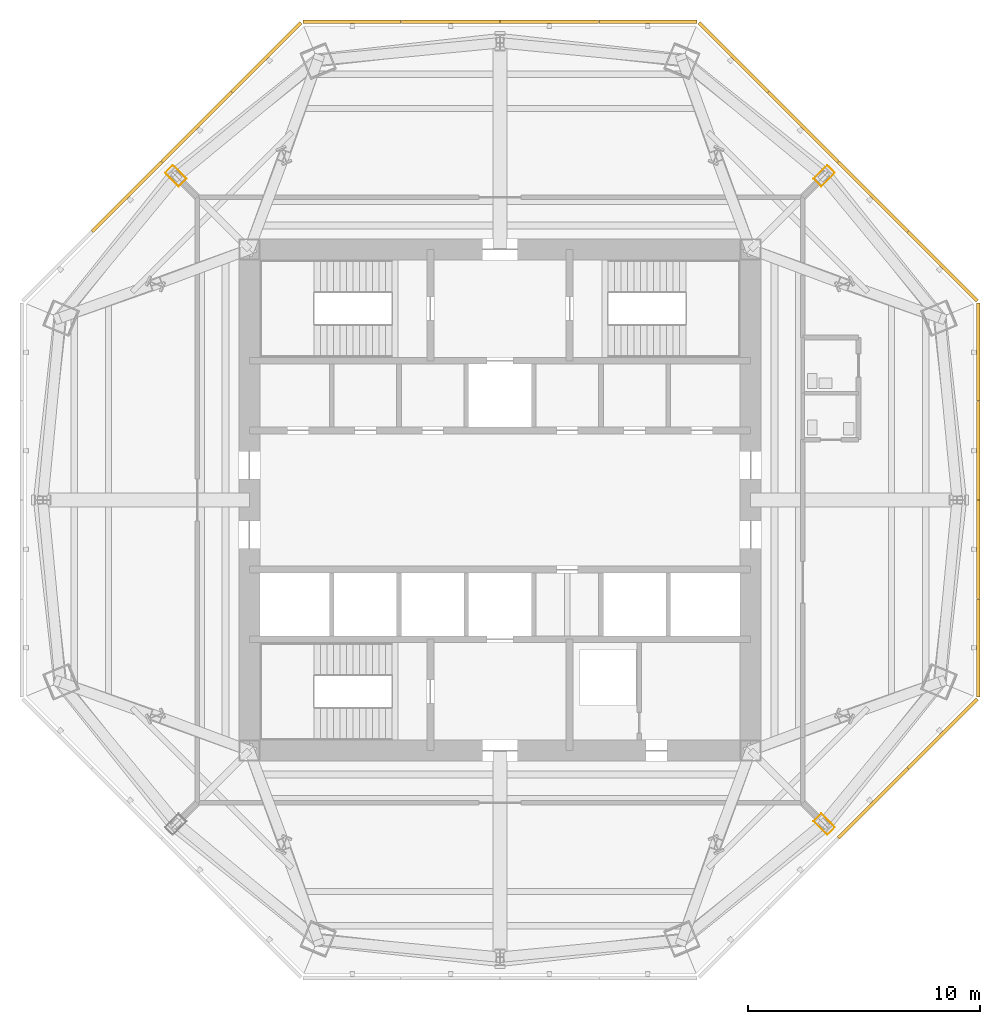
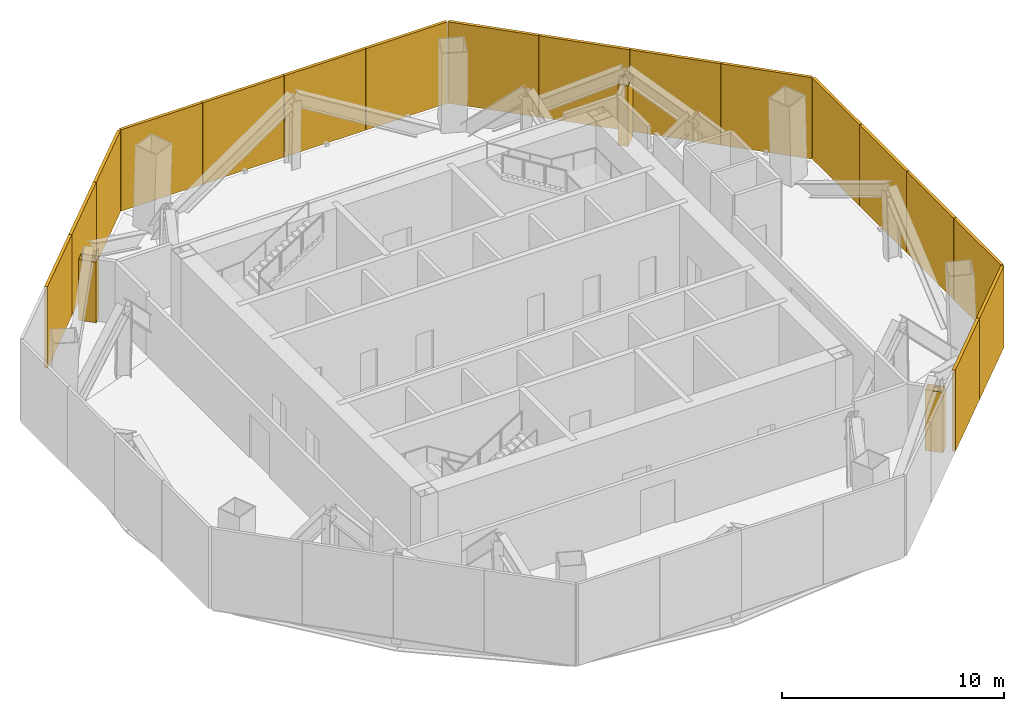
# One storey, part 7 of 8: 17 shading devices, 3 coverings.
"""IFC4 building model written with IfcOpenShell, lengths in metres."""

from ifc_helpers import new_model, si_unit, direction, frame, origin, origin_2d, place, context, subcontext, project, spatial, polyline, rectangle, outline, extrude, source, transform, mapped, material, layer, layer_set, type_object, type_shapes, element, save


model = new_model("IFC4")

# Units and contexts
model_context = context("Model", 3, precision=1e-05, world=origin(), true_north=direction((0.0, 1.0)))
body_context = subcontext(model_context, "Body", "Model", "MODEL_VIEW")
ifc_project = project(units=[si_unit("LENGTHUNIT", "METRE"), si_unit("AREAUNIT", "SQUARE_METRE"), si_unit("VOLUMEUNIT", "CUBIC_METRE"), si_unit("PLANEANGLEUNIT", "RADIAN"), si_unit("MASSUNIT", "GRAM", prefix="KILO")], contexts=[model_context])

# Site, building, storey
site_placement = place(None, origin())
site = spatial("IfcSite", under=ifc_project, at=site_placement, CompositionType="ELEMENT")
building_placement = place(site_placement, origin())
building = spatial("IfcBuilding", under=site, at=building_placement, Name="Mashrafa Tower", CompositionType="ELEMENT")
storey_placement = place(building_placement, frame((0.0, 0.0, 261.800048828125)))
storey = spatial("IfcBuildingStorey", under=building, at=storey_placement, Name="L63", CompositionType="ELEMENT", Elevation=261.800048828125)

# Coverings
ifc_material_1 = material(Name="Gypsum board")
ifc_layer_1 = layer(ifc_material_1, 0.014892578125)
ifc_layer_set_1 = layer_set([ifc_layer_1], Name="Column casing plasterboard 15")
covering_type = type_object("IfcCoveringType", Name="Column casing plasterboard 15", PredefinedType="CLADDING", material=ifc_layer_set_1)
covering_1_placement = place(storey_placement, origin())
element("IfcCovering", 1, at=covering_1_placement, inside=storey, type_object=covering_type, Name="Column casing L63-001", PredefinedType="CLADDING", context=body_context, shape_type="SweptSolid", body=[
    extrude(outline(polyline([(13.5029296875, 13.84228515625), (14.095458984375, 14.434814453125), (14.434814453125, 14.095458984375), (13.84228515625, 13.5029296875), (13.5029296875, 13.84228515625)]), holes=[polyline([(14.41357421875, 14.095458984375), (14.095458984375, 14.41357421875), (13.524169921875, 13.84228515625), (13.84228515625, 13.524169921875), (14.41357421875, 14.095458984375)])]), origin(), (0.0, 0.0, 1.0), 3.33984375),
])
covering_2_placement = place(storey_placement, origin())
element("IfcCovering", 2, at=covering_2_placement, inside=storey, type_object=covering_type, Name="Column casing L63-002", PredefinedType="CLADDING", context=body_context, shape_type="SweptSolid", body=[
    extrude(outline(polyline([(-14.434814453125, 14.095458984375), (-14.095458984375, 14.434814453125), (-13.5029296875, 13.84228515625), (-13.84228515625, 13.5029296875), (-14.434814453125, 14.095458984375)]), holes=[polyline([(-13.524169921875, 13.84228515625), (-14.095458984375, 14.41357421875), (-14.41357421875, 14.095458984375), (-13.84228515625, 13.524169921875), (-13.524169921875, 13.84228515625)])]), origin(), (0.0, 0.0, 1.0), 3.33984375),
])
covering_3_placement = place(storey_placement, origin())
element("IfcCovering", 3, at=covering_3_placement, inside=storey, type_object=covering_type, Name="Column casing L63-004", PredefinedType="CLADDING", context=body_context, shape_type="SweptSolid", body=[
    extrude(outline(polyline([(13.5029296875, -13.84228515625), (13.84228515625, -13.5029296875), (14.434814453125, -14.095458984375), (14.095458984375, -14.434814453125), (13.5029296875, -13.84228515625)]), holes=[polyline([(14.41357421875, -14.095458984375), (13.84228515625, -13.524169921875), (13.524169921875, -13.84228515625), (14.095458984375, -14.41357421875), (14.41357421875, -14.095458984375)])]), origin(), (0.0, 0.0, 1.0), 3.33984375),
])

# Shading devices
ifc_material_2 = material(Name="Extruded aluminium weather louvre", Category="aluminium")
ifc_layer_2 = layer(ifc_material_2, 0.14990234375)
ifc_layer_set_2 = layer_set([ifc_layer_2], Name="Plant louvre screen 150")
shading_device_type = type_object("IfcShadingDeviceType", Name="Plant louvre screen 150", PredefinedType="SHUTTER", material=ifc_layer_set_2)
shared_shape = source(origin(), body_context, "Body", "SweptSolid", [
    extrude(rectangle(XDim=4.227783203125, YDim=0.14990234375, at=origin_2d()), origin(), (0.0, 0.0, 1.0), 4.47998046875),
])
type_shapes(shading_device_type, [shared_shape])
for number, where, z_axis, x_axis, name in (
    (4, (20.60888671875, -6.37158203125, 0.0), (0.0, 0.0, 1.0), (0.0, 1.0, 0.0), "Plant louvre screen L63 east 1"),
    (5, (20.60888671875, -2.123779296875, 0.0), (0.0, 0.0, 1.0), (0.0, 1.0, 0.0), "Plant louvre screen L63 east 2"),
    (6, (20.60888671875, 2.123779296875, 0.0), (0.0, 0.0, 1.0), (0.0, 1.0, 0.0), "Plant louvre screen L63 east 3"),
    (7, (20.60888671875, 6.37158203125, 0.0), (0.0, 0.0, 1.0), (0.0, 1.0, 0.0), "Plant louvre screen L63 east 4"),
    (8, (19.077880859375, 10.067138671875, 0.0), (0.0, 0.0, 1.0), (-0.707106781187, 0.707106781187, 0.0), "Plant louvre screen L63 north-east 1"),
    (9, (16.074462890625, 13.07080078125, 0.0), (0.0, 0.0, 1.0), (-0.707106781187, 0.707106781187, 0.0), "Plant louvre screen L63 north-east 2"),
    (10, (13.07080078125, 16.074462890625, 0.0), (0.0, 0.0, 1.0), (-0.707106781187, 0.707106781187, 0.0), "Plant louvre screen L63 north-east 3"),
    (11, (10.067138671875, 19.077880859375, 0.0), (0.0, 0.0, 1.0), (-0.707106781187, 0.707106781187, 0.0), "Plant louvre screen L63 north-east 4"),
    (12, (6.37158203125, 20.60888671875, 0.0), (0.0, 0.0, 1.0), (-1.0, 0.0, 0.0), "Plant louvre screen L63 north 1"),
    (13, (2.123779296875, 20.60888671875, 0.0), (0.0, 0.0, 1.0), (-1.0, 0.0, 0.0), "Plant louvre screen L63 north 2"),
    (14, (-2.123779296875, 20.60888671875, 0.0), (0.0, 0.0, 1.0), (-1.0, 0.0, 0.0), "Plant louvre screen L63 north 3"),
    (15, (-6.37158203125, 20.60888671875, 0.0), (0.0, 0.0, 1.0), (-1.0, 0.0, 0.0), "Plant louvre screen L63 north 4"),
    (16, (-10.067138671875, 19.077880859375, 0.0), (0.0, 0.0, 1.0), (-0.707106781187, -0.707106781187, 0.0), "Plant louvre screen L63 north-west 1"),
    (17, (-13.07080078125, 16.074462890625, 0.0), (0.0, 0.0, 1.0), (-0.707106781187, -0.707106781187, 0.0), "Plant louvre screen L63 north-west 2"),
    (18, (-16.074462890625, 13.07080078125, 0.0), (0.0, 0.0, 1.0), (-0.707106781187, -0.707106781187, 0.0), "Plant louvre screen L63 north-west 3"),
    (19, (16.074462890625, -13.07080078125, 0.0), (0.0, 0.0, 1.0), (0.707106781187, 0.707106781187, 0.0), "Plant louvre screen L63 south-east 3"),
    (20, (19.077880859375, -10.067138671875, 0.0), (0.0, 0.0, 1.0), (0.707106781187, 0.707106781187, 0.0), "Plant louvre screen L63 south-east 4"),
):
    element("IfcShadingDevice", number, at=place(storey_placement, frame(where, z_axis=z_axis, x_axis=x_axis)), inside=storey, type_object=shading_device_type, Name=name, PredefinedType="SHUTTER", context=body_context, shape_type="MappedRepresentation", body=[
        mapped(shared_shape, transform((0.0, 0.0, 0.0))),
    ])

save(model, "model.ifc")
